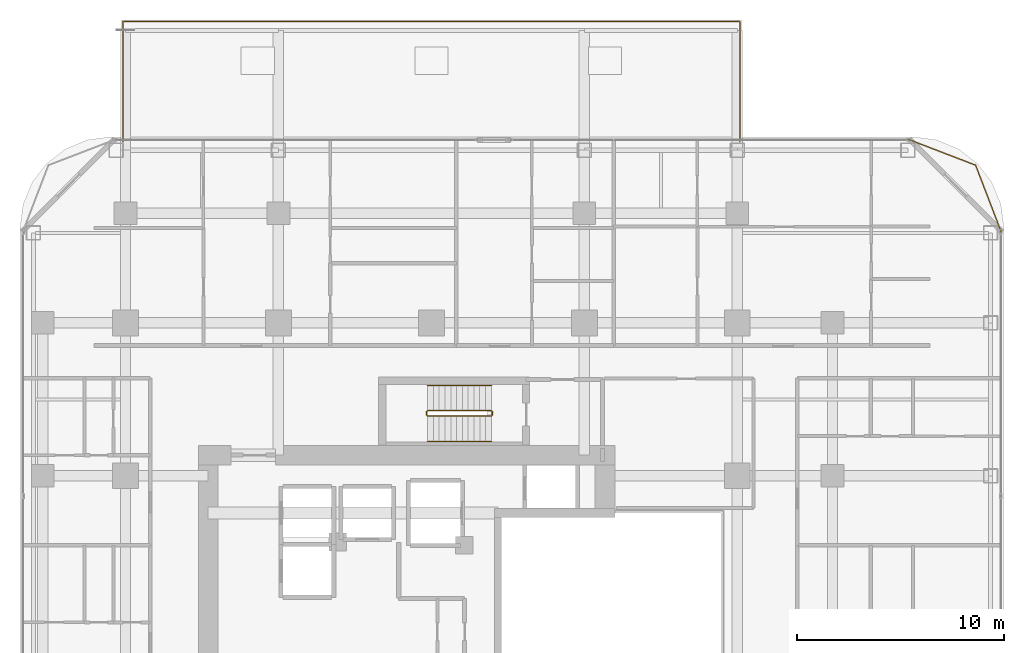
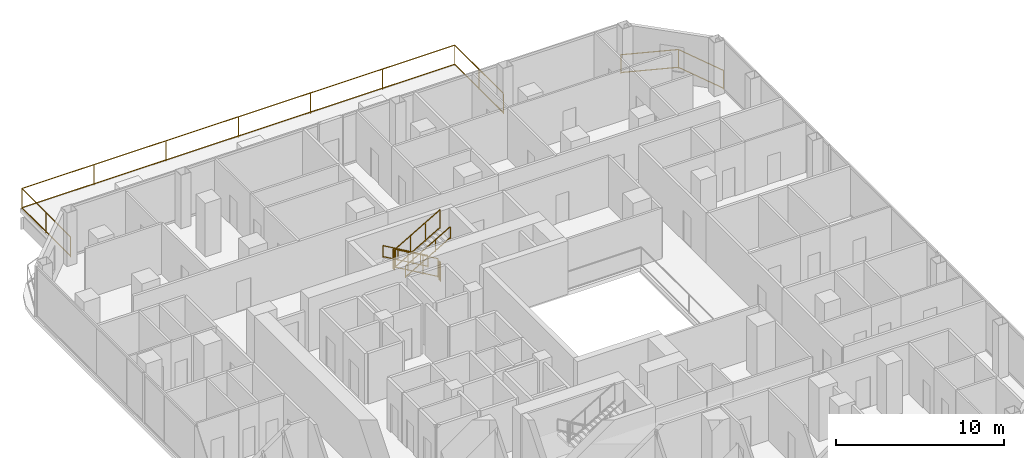
# One storey, part 29 of 29: 8 railings.
"""IFC4 building model written with IfcOpenShell, lengths in metres."""

import ifcopenshell
import ifcopenshell.guid

model = None  # the IFC model being written
_history = None  # IfcOwnerHistory: only IFC2X3 demands one
_inside = {}  # id of a spatial element -> (the spatial element, [elements in it])
_under = {}  # id of a project, library or spatial element -> (it, [spatial elements below it])
_declared = {}  # id of a project -> (the project, [libraries it declares])
_typed = {}  # id of a type object -> (the type object, [elements of that type])
_made_of = {}  # id of a material, layer set ... -> (it, [elements and type objects made of it])


def new_model(schema):
    """Start an empty IFC model of exactly this schema.

    Asked for "IFC4X3", IfcOpenShell would pick the latest addendum, in which some entities
    have other attributes; the version numbers below select the first issue.
    IFC2X3 requires an IfcOwnerHistory on every rooted entity: one is made here for all.
    """
    global model, _history
    if schema == "IFC4X3":
        model = ifcopenshell.file(schema_version=(4, 3, 0, 0))
    else:
        model = ifcopenshell.file(schema=schema)
    _inside.clear()
    _under.clear()
    _declared.clear()
    _typed.clear()
    _made_of.clear()
    _history = None
    if model.schema == "IFC2X3":
        org = make("IfcOrganization", Name="unknown")
        user = make(
            "IfcPersonAndOrganization",
            ThePerson=make("IfcPerson", FamilyName="unknown"),
            TheOrganization=org,
        )
        app = make(
            "IfcApplication",
            ApplicationDeveloper=org,
            Version="unknown",
            ApplicationFullName="unknown",
            ApplicationIdentifier="unknown",
        )
        _history = make(
            "IfcOwnerHistory",
            OwningUser=user,
            OwningApplication=app,
            ChangeAction="ADDED",
            CreationDate=0,
        )
    return model


def make(cls, **values):
    """One entity of the class cls with the attributes given. An attribute that is None is left unset."""
    return model.create_entity(
        cls, **{name: value for name, value in values.items() if value is not None}
    )


def rooted(cls, **values):
    """An entity with a GlobalId (a new one), such as an element, a storey or a relation."""
    return make(cls, GlobalId=ifcopenshell.guid.new(), OwnerHistory=_history, **values)


def si_unit(unit_type, name, prefix=None):
    """IfcSIUnit, for example si_unit("LENGTHUNIT", "METRE", prefix="MILLI")."""
    return make("IfcSIUnit", UnitType=unit_type, Prefix=prefix, Name=name)


def assignment(units):
    """IfcUnitAssignment: the units of a project."""
    return None if units is None else make("IfcUnitAssignment", Units=units)


def point(xyz):
    """IfcCartesianPoint."""
    return None if xyz is None else make("IfcCartesianPoint", Coordinates=xyz)


def direction(xyz):
    """IfcDirection."""
    return None if xyz is None else make("IfcDirection", DirectionRatios=xyz)


def frame(location, z_axis=None, x_axis=None):
    """IfcAxis2Placement3D, a coordinate frame: its origin and axes. An axis left out is left unset."""
    return make(
        "IfcAxis2Placement3D",
        Location=point(location),
        Axis=direction(z_axis),
        RefDirection=direction(x_axis),
    )


def frame_2d(location, x_axis=None):
    """IfcAxis2Placement2D, a coordinate frame in the plane: its origin and x axis."""
    return make(
        "IfcAxis2Placement2D", Location=point(location), RefDirection=direction(x_axis)
    )


def origin():
    """The frame at (0, 0, 0) with its axes left unset."""
    return frame((0.0, 0.0, 0.0))


def origin_2d():
    """The frame at (0, 0) in the plane with its x axis left unset."""
    return frame_2d((0.0, 0.0))


def place(relative_to, where):
    """IfcLocalPlacement: puts the frame where relative to a parent placement (None: the world)."""
    return make(
        "IfcLocalPlacement", PlacementRelTo=relative_to, RelativePlacement=where
    )


def context(
    kind, dimensions, precision=None, world=None, true_north=None, identifier=None
):
    """IfcGeometricRepresentationContext, for example the 3D "Model" context."""
    return make(
        "IfcGeometricRepresentationContext",
        ContextIdentifier=identifier,
        ContextType=kind,
        CoordinateSpaceDimension=dimensions,
        Precision=precision,
        WorldCoordinateSystem=world,
        TrueNorth=true_north,
    )


def subcontext(parent, identifier, kind, view, scale=None):
    """IfcGeometricRepresentationSubContext, for example "Body" below "Model"."""
    return make(
        "IfcGeometricRepresentationSubContext",
        ContextIdentifier=identifier,
        ContextType=kind,
        ParentContext=parent,
        TargetScale=scale,
        TargetView=view,
    )


def project(units=None, contexts=None):
    """IfcProject with its units and contexts."""
    return rooted(
        "IfcProject",
        Name="project",
        RepresentationContexts=contexts,
        UnitsInContext=assignment(units),
    )


def spatial(cls, under=None, at=None, **own):
    """A site, building, storey or space (cls), placed at a placement, below another one or the project."""
    s = rooted(cls, ObjectPlacement=at, **own)
    if under is not None:
        _under.setdefault(under.id(), (under, []))[1].append(s)
    return s


def profile(cls, at=None, kind="AREA", **sizes):
    """A parametric profile (cls). Its sizes go by their IFC names, for example OverallWidth=200.0."""
    return make(cls, ProfileType=kind, Position=at, **sizes)


def rectangle(**sizes):
    """IfcRectangleProfileDef."""
    return profile("IfcRectangleProfileDef", **sizes)


def extrude(swept, where, along, depth):
    """IfcExtrudedAreaSolid: the profile swept, set in the frame where, extruded along a direction by depth."""
    return make(
        "IfcExtrudedAreaSolid",
        SweptArea=swept,
        Position=where,
        ExtrudedDirection=direction(along),
        Depth=depth,
    )


def shape(context_of_items, identifier, shape_type, items):
    """IfcShapeRepresentation: the items that make up one representation, for example the "Body"."""
    return make(
        "IfcShapeRepresentation",
        ContextOfItems=context_of_items,
        RepresentationIdentifier=identifier,
        RepresentationType=shape_type,
        Items=items,
    )


def material(Name=None, Category=None):
    """IfcMaterial."""
    return make("IfcMaterial", Name=Name, Category=Category)


def made_of(thing, what):
    """Note that an element or type object is made of a material, layer set ...; save() writes the relation."""
    if what is not None:
        _made_of.setdefault(what.id(), (what, []))[1].append(thing)
    return thing


def type_object(cls, material=None, **own):
    """A type object (cls), such as IfcWallType, which elements share."""
    return made_of(rooted(cls, **own), material)


def element(
    cls,
    number,
    at=None,
    inside=None,
    cuts=None,
    type_object=None,
    material=None,
    context=None,
    identifier="Body",
    shape_type=None,
    held_by="IfcProductDefinitionShape",
    body=None,
    shapes=None,
    **own,
):
    """One element of the class cls, such as IfcWall. Its Tag is "e" and its number.

    at: its placement. inside: the storey or other place that contains it. cuts: it is an
    opening in that element (IfcRelVoidsElement). A single representation is given by context,
    identifier, shape_type and body (its items); several are given by shapes. held_by: the class
    of the entity that holds the representations. save() writes the other relations.
    """
    e = rooted(cls, Tag="e%d" % number, ObjectPlacement=at, **own)
    if body is not None:
        shapes = [shape(context, identifier, shape_type, body)]
    if shapes is not None:
        e.Representation = make(held_by, Representations=shapes)
    if inside is not None:
        _inside.setdefault(inside.id(), (inside, []))[1].append(e)
    if cuts is not None:
        rooted(
            "IfcRelVoidsElement", RelatingBuildingElement=cuts, RelatedOpeningElement=e
        )
    if type_object is not None:
        _typed.setdefault(type_object.id(), (type_object, []))[1].append(e)
    return made_of(e, material)


def aggregate(whole, parts):
    """IfcRelAggregates: a whole, such as a stair, and the parts it consists of."""
    return rooted("IfcRelAggregates", RelatingObject=whole, RelatedObjects=parts)


def save(model, path):
    """Write the relations noted so far, then the file.

    IfcRelAggregates (storeys below a building ...), IfcRelContainedInSpatialStructure (elements
    in a storey), IfcRelDefinesByType, IfcRelAssociatesMaterial and IfcRelDeclares: one each for
    every whole, place, type object, material and project.
    """
    for whole, parts in _under.values():
        aggregate(whole, parts)
    for where, things in _inside.values():
        rooted(
            "IfcRelContainedInSpatialStructure",
            RelatedElements=things,
            RelatingStructure=where,
        )
    for kind, things in _typed.values():
        rooted("IfcRelDefinesByType", RelatedObjects=things, RelatingType=kind)
    for what, things in _made_of.values():
        rooted("IfcRelAssociatesMaterial", RelatedObjects=things, RelatingMaterial=what)
    for by, libraries in _declared.values():
        rooted("IfcRelDeclares", RelatingContext=by, RelatedDefinitions=libraries)
    model.write(path)


model = new_model("IFC4")

# Units and contexts
model_context = context("Model", 3, precision=1e-05, world=origin(), true_north=direction((0.0, 1.0)))
body_context = subcontext(model_context, "Body", "Model", "MODEL_VIEW")
ifc_project = project(units=[si_unit("LENGTHUNIT", "METRE"), si_unit("AREAUNIT", "SQUARE_METRE"), si_unit("VOLUMEUNIT", "CUBIC_METRE"), si_unit("PLANEANGLEUNIT", "RADIAN"), si_unit("MASSUNIT", "GRAM", prefix="KILO")], contexts=[model_context])

# Site, building, storey
site_placement = place(None, origin())
site = spatial("IfcSite", under=ifc_project, at=site_placement, CompositionType="ELEMENT")
building_placement = place(site_placement, origin())
building = spatial("IfcBuilding", under=site, at=building_placement, Name="Khorvyn Point Tower", CompositionType="ELEMENT")
storey_placement = place(building_placement, frame((0.0, 0.0, 136.800048828125)))
storey = spatial("IfcBuildingStorey", under=building, at=storey_placement, Name="L34", CompositionType="ELEMENT", Elevation=136.800048828125)

# Railings
ifc_material_1 = material(Name="Anodised aluminium 6063-T6 and laminated safety glass", Category="aluminium")
railing_type_1 = type_object("IfcRailingType", Name="Laminated Glass and Aluminium Balcony Guardrail 1400", PredefinedType="BALUSTRADE", material=ifc_material_1)
railing_1_placement = place(storey_placement, frame((27.57421875, 19.176025390625, 0.0)))
element("IfcRailing", 1, at=railing_1_placement, inside=storey, type_object=railing_type_1, Name="L34 Rounded Corner Edge Guardrail NE", PredefinedType="BALUSTRADE", context=body_context, shape_type="SweptSolid", body=[
    extrude(rectangle(XDim=0.048095703125, YDim=0.048095703125, at=origin_2d()), frame((0.0, 0.0, 1.3759765625), z_axis=(-0.358382264808, 0.933574931257, 0.0), x_axis=(-0.933574931257, -0.358382264808, 0.0)), (0.0, 0.0, 1.0), 3.481689453125),
    extrude(rectangle(XDim=0.048095703125, YDim=0.048095703125, at=origin_2d()), frame((0.0, 0.0, 0.080078125), z_axis=(-0.358382264808, 0.933574931257, 0.0), x_axis=(-0.933574931257, -0.358382264808, 0.0)), (0.0, 0.0, 1.0), 3.481689453125),
    extrude(rectangle(XDim=0.048095703125, YDim=0.048095703125, at=origin_2d()), frame((-1.247802734375, 3.25048828125, 1.3759765625), z_axis=(-0.933598390295, 0.358321148746, 0.0), x_axis=(-0.358321148746, -0.933598390295, 0.0)), (0.0, 0.0, 1.0), 3.481689453125),
    extrude(rectangle(XDim=0.048095703125, YDim=0.048095703125, at=origin_2d()), frame((-1.247802734375, 3.25048828125, 0.080078125), z_axis=(-0.933598390295, 0.358321148746, 0.0), x_axis=(-0.358321148746, -0.933598390295, 0.0)), (0.0, 0.0, 1.0), 3.481689453125),
    extrude(rectangle(XDim=0.0419921875, YDim=0.0419921875, at=origin_2d()), origin(), (0.0, 0.0, 1.0), 1.351806640625),
    extrude(rectangle(XDim=0.0419921875, YDim=0.0419921875, at=origin_2d()), frame((-1.247802734375, 3.25048828125, 0.0)), (0.0, 0.0, 1.0), 1.351806640625),
    extrude(rectangle(XDim=0.0419921875, YDim=0.0419921875, at=origin_2d()), frame((-4.498291015625, 4.498046875, 0.0)), (0.0, 0.0, 1.0), 1.351806640625),
])
ifc_material_2 = material(Name="Stainless steel 1.4401", Category="steel")
railing_type_2 = type_object("IfcRailingType", Name="School Terrace Anti-Climb Safety Guardrail 1500", PredefinedType="GUARDRAIL", material=ifc_material_2)
railing_2_placement = place(storey_placement, frame((-14.919921875, 23.570068359375, 0.0)))
element("IfcRailing", 2, at=railing_2_placement, inside=storey, type_object=railing_type_2, Name="L34 Setback Terrace Guardrail", PredefinedType="GUARDRAIL", context=body_context, shape_type="SweptSolid", body=[
    extrude(rectangle(XDim=0.048095703125, YDim=0.048095703125, at=origin_2d()), frame((0.0, 0.0, 1.47607421875), z_axis=(0.0, 1.0, 0.0), x_axis=(-1.0, 0.0, 0.0)), (0.0, 0.0, 1.0), 5.800048828125),
    extrude(rectangle(XDim=0.048095703125, YDim=0.048095703125, at=origin_2d()), frame((0.0, 0.0, 0.080078125), z_axis=(0.0, 1.0, 0.0), x_axis=(-1.0, 0.0, 0.0)), (0.0, 0.0, 1.0), 5.800048828125),
    extrude(rectangle(XDim=0.048095703125, YDim=0.048095703125, at=origin_2d()), frame((0.0, 5.800048828125, 1.47607421875), z_axis=(1.0, 0.0, 0.0), x_axis=(0.0, 1.0, 0.0)), (0.0, 0.0, 1.0), 29.83984375),
    extrude(rectangle(XDim=0.048095703125, YDim=0.048095703125, at=origin_2d()), frame((0.0, 5.800048828125, 0.080078125), z_axis=(1.0, 0.0, 0.0), x_axis=(0.0, 1.0, 0.0)), (0.0, 0.0, 1.0), 29.83984375),
    extrude(rectangle(XDim=0.048095703125, YDim=0.048095703125, at=origin_2d()), frame((29.83984375, 5.800048828125, 1.47607421875), z_axis=(0.0, -1.0, 0.0), x_axis=(1.0, 0.0, 0.0)), (0.0, 0.0, 1.0), 5.800048828125),
    extrude(rectangle(XDim=0.048095703125, YDim=0.048095703125, at=origin_2d()), frame((29.83984375, 5.800048828125, 0.080078125), z_axis=(0.0, -1.0, 0.0), x_axis=(1.0, 0.0, 0.0)), (0.0, 0.0, 1.0), 5.800048828125),
    extrude(rectangle(XDim=0.0419921875, YDim=0.0419921875, at=origin_2d()), origin(), (0.0, 0.0, 1.0), 1.451904296875),
    extrude(rectangle(XDim=0.0419921875, YDim=0.0419921875, at=origin_2d()), frame((0.0, 2.89990234375, 0.0)), (0.0, 0.0, 1.0), 1.451904296875),
    extrude(rectangle(XDim=0.0419921875, YDim=0.0419921875, at=origin_2d()), frame((0.0, 5.800048828125, 0.0)), (0.0, 0.0, 1.0), 1.451904296875),
    extrude(rectangle(XDim=0.0419921875, YDim=0.0419921875, at=origin_2d()), frame((4.973388671875, 5.800048828125, 0.0)), (0.0, 0.0, 1.0), 1.451904296875),
    extrude(rectangle(XDim=0.0419921875, YDim=0.0419921875, at=origin_2d()), frame((9.946533203125, 5.800048828125, 0.0)), (0.0, 0.0, 1.0), 1.451904296875),
    extrude(rectangle(XDim=0.0419921875, YDim=0.0419921875, at=origin_2d()), frame((14.919921875, 5.800048828125, 0.0)), (0.0, 0.0, 1.0), 1.451904296875),
    extrude(rectangle(XDim=0.0419921875, YDim=0.0419921875, at=origin_2d()), frame((19.893310546875, 5.800048828125, 0.0)), (0.0, 0.0, 1.0), 1.451904296875),
    extrude(rectangle(XDim=0.0419921875, YDim=0.0419921875, at=origin_2d()), frame((24.866455078125, 5.800048828125, 0.0)), (0.0, 0.0, 1.0), 1.451904296875),
    extrude(rectangle(XDim=0.0419921875, YDim=0.0419921875, at=origin_2d()), frame((29.83984375, 5.800048828125, 0.0)), (0.0, 0.0, 1.0), 1.451904296875),
    extrude(rectangle(XDim=0.0419921875, YDim=0.0419921875, at=origin_2d()), frame((29.83984375, 2.89990234375, 0.0)), (0.0, 0.0, 1.0), 1.451904296875),
    extrude(rectangle(XDim=0.0419921875, YDim=0.0419921875, at=origin_2d()), frame((29.83984375, 0.0, 0.0)), (0.0, 0.0, 1.0), 1.451904296875),
])
ifc_material_3 = material(Name="Stainless steel 1.4301", Category="steel")
railing_type_3 = type_object("IfcRailingType", Name="Stainless Steel 304 Stair Pitch Handrail 900", PredefinedType="HANDRAIL", material=ifc_material_3)
railing_3_placement = place(storey_placement, frame((2.89990234375, 11.77001953125, 0.162353515625)))
element("IfcRailing", 3, at=railing_3_placement, inside=storey, type_object=railing_type_3, Name="L34 ST-02 stair handrail 1", PredefinedType="HANDRAIL", context=body_context, shape_type="SweptSolid", body=[
    extrude(rectangle(XDim=0.048095703125, YDim=0.048095703125, at=origin_2d()), frame((0.0, 0.0, 0.8759765625), z_axis=(-0.864873446163, 0.0, 0.501989962173), x_axis=(0.0, -1.0, 0.0)), (0.0, 0.0, 1.0), 3.56103515625),
    extrude(rectangle(XDim=0.048095703125, YDim=0.048095703125, at=origin_2d()), frame((0.0, 0.0, 0.080078125), z_axis=(-0.864873446163, 0.0, 0.501989962173), x_axis=(0.0, -1.0, 0.0)), (0.0, 0.0, 1.0), 3.56103515625),
    extrude(rectangle(XDim=0.0419921875, YDim=0.0419921875, at=origin_2d()), origin(), (0.0, 0.0, 1.0), 0.851806640625),
    extrude(rectangle(XDim=0.0419921875, YDim=0.0419921875, at=origin_2d()), frame((-1.026611328125, 0.0, 0.595947265625)), (0.0, 0.0, 1.0), 0.851806640625),
    extrude(rectangle(XDim=0.0419921875, YDim=0.0419921875, at=origin_2d()), frame((-2.05322265625, 0.0, 1.191650390625)), (0.0, 0.0, 1.0), 0.851806640625),
    extrude(rectangle(XDim=0.0419921875, YDim=0.0419921875, at=origin_2d()), frame((-3.079833984375, 0.0, 1.78759765625)), (0.0, 0.0, 1.0), 0.851806640625),
])
railing_4_placement = place(storey_placement, frame((-0.179931640625, 9.070068359375, 2.112548828125)))
element("IfcRailing", 4, at=railing_4_placement, inside=storey, type_object=railing_type_3, Name="L34 ST-02 stair handrail 2", PredefinedType="HANDRAIL", context=body_context, shape_type="SweptSolid", body=[
    extrude(rectangle(XDim=0.048095703125, YDim=0.048095703125, at=origin_2d()), frame((0.0, 0.0, 0.8759765625), z_axis=(0.864903211148, 0.0, 0.501938676878), x_axis=(0.0, 1.0, 0.0)), (0.0, 0.0, 1.0), 3.560791015625),
    extrude(rectangle(XDim=0.048095703125, YDim=0.048095703125, at=origin_2d()), frame((0.0, 0.0, 0.080078125), z_axis=(0.864903211148, 0.0, 0.501938676878), x_axis=(0.0, 1.0, 0.0)), (0.0, 0.0, 1.0), 3.560791015625),
    extrude(rectangle(XDim=0.0419921875, YDim=0.0419921875, at=origin_2d()), origin(), (0.0, 0.0, 1.0), 0.851806640625),
    extrude(rectangle(XDim=0.0419921875, YDim=0.0419921875, at=origin_2d()), frame((1.026611328125, 0.0, 0.595703125)), (0.0, 0.0, 1.0), 0.851806640625),
    extrude(rectangle(XDim=0.0419921875, YDim=0.0419921875, at=origin_2d()), frame((2.05322265625, 0.0, 1.191650390625)), (0.0, 0.0, 1.0), 0.851806640625),
    extrude(rectangle(XDim=0.0419921875, YDim=0.0419921875, at=origin_2d()), frame((3.079833984375, 0.0, 1.787353515625)), (0.0, 0.0, 1.0), 0.851806640625),
])
railing_type_4 = type_object("IfcRailingType", Name="Stainless Steel 304 Stair Well Guardrail 1400", PredefinedType="GUARDRAIL", material=ifc_material_3)
railing_5_placement = place(storey_placement, frame((2.89990234375, 10.550048828125, 0.162353515625)))
element("IfcRailing", 5, at=railing_5_placement, inside=storey, type_object=railing_type_4, Name="L34 ST-02 stair guard 1", PredefinedType="GUARDRAIL", context=body_context, shape_type="SweptSolid", body=[
    extrude(rectangle(XDim=0.048095703125, YDim=0.048095703125, at=origin_2d()), frame((0.0, 0.0, 1.3759765625), z_axis=(-0.864873446163, 0.0, 0.501989962173), x_axis=(0.0, -1.0, 0.0)), (0.0, 0.0, 1.0), 3.56103515625),
    extrude(rectangle(XDim=0.048095703125, YDim=0.048095703125, at=origin_2d()), frame((0.0, 0.0, 0.080078125), z_axis=(-0.864873446163, 0.0, 0.501989962173), x_axis=(0.0, -1.0, 0.0)), (0.0, 0.0, 1.0), 3.56103515625),
    extrude(rectangle(XDim=0.0419921875, YDim=0.0419921875, at=origin_2d()), origin(), (0.0, 0.0, 1.0), 1.351806640625),
    extrude(rectangle(XDim=0.0419921875, YDim=0.0419921875, at=origin_2d()), frame((-1.026611328125, 0.0, 0.595947265625)), (0.0, 0.0, 1.0), 1.351806640625),
    extrude(rectangle(XDim=0.0419921875, YDim=0.0419921875, at=origin_2d()), frame((-2.05322265625, 0.0, 1.191650390625)), (0.0, 0.0, 1.0), 1.351806640625),
    extrude(rectangle(XDim=0.0419921875, YDim=0.0419921875, at=origin_2d()), frame((-3.079833984375, 0.0, 1.78759765625)), (0.0, 0.0, 1.0), 1.351806640625),
])
railing_6_placement = place(storey_placement, frame((-0.22998046875, 10.5, 1.949951171875)))
element("IfcRailing", 6, at=railing_6_placement, inside=storey, type_object=railing_type_4, Name="L34 ST-02 stair guard 2", PredefinedType="GUARDRAIL", context=body_context, shape_type="SweptSolid", body=[
    extrude(rectangle(XDim=0.048095703125, YDim=0.048095703125, at=origin_2d()), frame((0.0, 0.0, 1.3759765625), z_axis=(0.0, -1.0, 0.0), x_axis=(1.0, 0.0, 0.0)), (0.0, 0.0, 1.0), 0.159912109375),
    extrude(rectangle(XDim=0.048095703125, YDim=0.048095703125, at=origin_2d()), frame((0.0, 0.0, 0.080078125), z_axis=(0.0, -1.0, 0.0), x_axis=(1.0, 0.0, 0.0)), (0.0, 0.0, 1.0), 0.159912109375),
    extrude(rectangle(XDim=0.0419921875, YDim=0.0419921875, at=origin_2d()), origin(), (0.0, 0.0, 1.0), 1.351806640625),
    extrude(rectangle(XDim=0.0419921875, YDim=0.0419921875, at=origin_2d()), frame((0.0, -0.159912109375, 0.0)), (0.0, 0.0, 1.0), 1.351806640625),
])
railing_7_placement = place(storey_placement, frame((-0.179931640625, 10.2900390625, 2.112548828125)))
element("IfcRailing", 7, at=railing_7_placement, inside=storey, type_object=railing_type_4, Name="L34 ST-02 stair guard 3", PredefinedType="GUARDRAIL", context=body_context, shape_type="SweptSolid", body=[
    extrude(rectangle(XDim=0.048095703125, YDim=0.048095703125, at=origin_2d()), frame((0.0, 0.0, 1.3759765625), z_axis=(0.864903211148, 0.0, 0.501938676878), x_axis=(0.0, 1.0, 0.0)), (0.0, 0.0, 1.0), 3.560791015625),
    extrude(rectangle(XDim=0.048095703125, YDim=0.048095703125, at=origin_2d()), frame((0.0, 0.0, 0.080078125), z_axis=(0.864903211148, 0.0, 0.501938676878), x_axis=(0.0, 1.0, 0.0)), (0.0, 0.0, 1.0), 3.560791015625),
    extrude(rectangle(XDim=0.0419921875, YDim=0.0419921875, at=origin_2d()), origin(), (0.0, 0.0, 1.0), 1.351806640625),
    extrude(rectangle(XDim=0.0419921875, YDim=0.0419921875, at=origin_2d()), frame((1.026611328125, 0.0, 0.595703125)), (0.0, 0.0, 1.0), 1.351806640625),
    extrude(rectangle(XDim=0.0419921875, YDim=0.0419921875, at=origin_2d()), frame((2.05322265625, 0.0, 1.191650390625)), (0.0, 0.0, 1.0), 1.351806640625),
    extrude(rectangle(XDim=0.0419921875, YDim=0.0419921875, at=origin_2d()), frame((3.079833984375, 0.0, 1.787353515625)), (0.0, 0.0, 1.0), 1.351806640625),
])
railing_8_placement = place(storey_placement, frame((2.949951171875, 10.5, 0.0)))
element("IfcRailing", 8, at=railing_8_placement, inside=storey, type_object=railing_type_4, Name="L34 ST-02 stair guard 4", PredefinedType="GUARDRAIL", context=body_context, shape_type="SweptSolid", body=[
    extrude(rectangle(XDim=0.048095703125, YDim=0.048095703125, at=origin_2d()), frame((0.0, 0.0, 1.3759765625), z_axis=(0.0, -1.0, 0.0), x_axis=(1.0, 0.0, 0.0)), (0.0, 0.0, 1.0), 0.159912109375),
    extrude(rectangle(XDim=0.048095703125, YDim=0.048095703125, at=origin_2d()), frame((0.0, 0.0, 0.080078125), z_axis=(0.0, -1.0, 0.0), x_axis=(1.0, 0.0, 0.0)), (0.0, 0.0, 1.0), 0.159912109375),
    extrude(rectangle(XDim=0.0419921875, YDim=0.0419921875, at=origin_2d()), origin(), (0.0, 0.0, 1.0), 1.351806640625),
    extrude(rectangle(XDim=0.0419921875, YDim=0.0419921875, at=origin_2d()), frame((0.0, -0.159912109375, 0.0)), (0.0, 0.0, 1.0), 1.351806640625),
])

save(model, "model.ifc")
